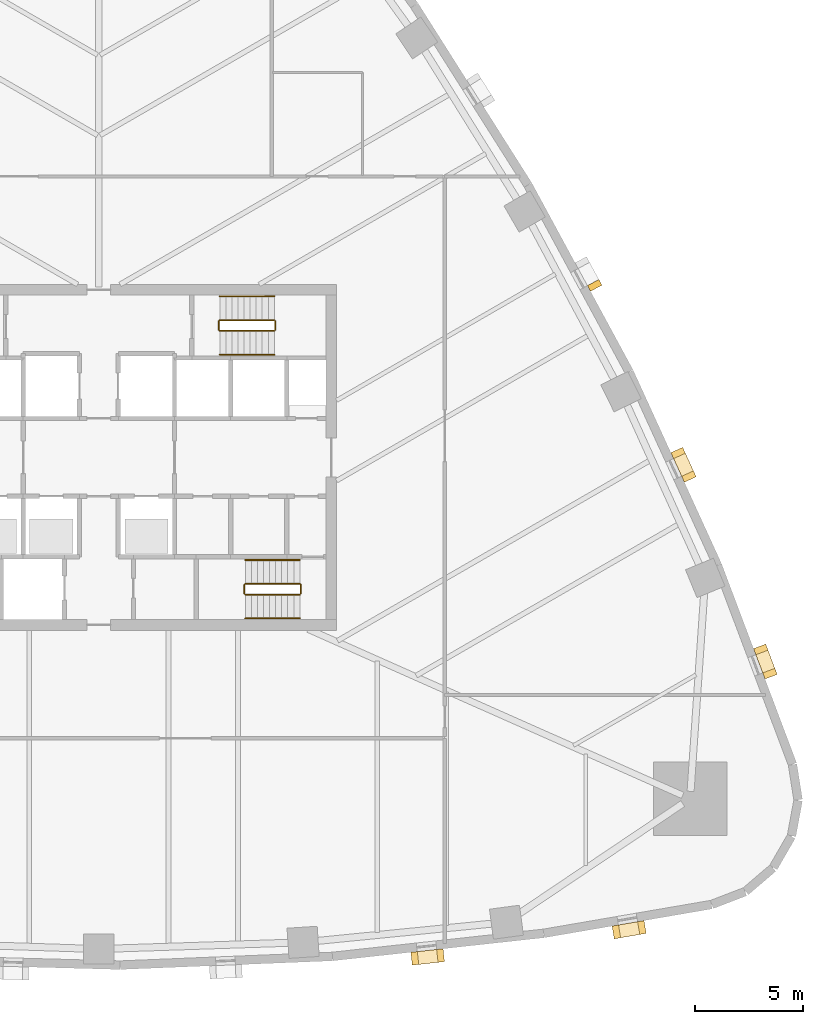
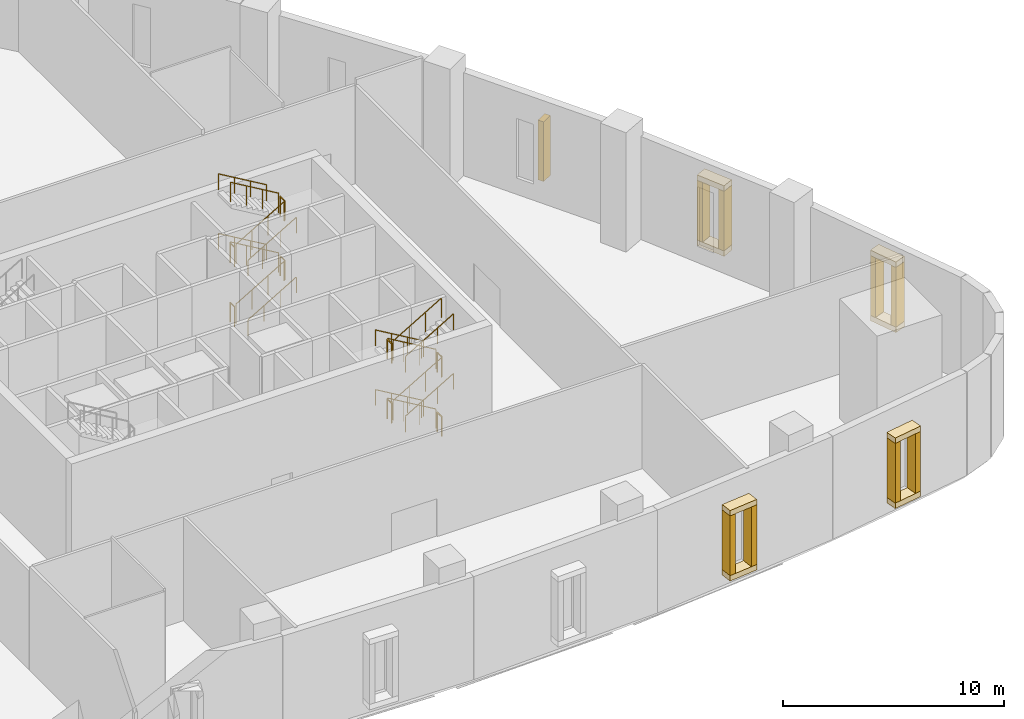
# One storey, part 9 of 11: 24 railings, 17 coverings.
"""IFC4 building model written with IfcOpenShell, lengths in metres."""

from ifc_helpers import new_model, si_unit, direction, frame, origin, origin_2d, place, context, subcontext, project, spatial, rectangle, circle, extrude, material, layer, layer_set, type_object, element, save


model = new_model("IFC4")

# Units and contexts
model_context = context("Model", 3, precision=1e-05, world=origin(), true_north=direction((0.0, 1.0)))
body_context = subcontext(model_context, "Body", "Model", "MODEL_VIEW")
ifc_project = project(units=[si_unit("LENGTHUNIT", "METRE"), si_unit("AREAUNIT", "SQUARE_METRE"), si_unit("VOLUMEUNIT", "CUBIC_METRE"), si_unit("PLANEANGLEUNIT", "RADIAN"), si_unit("MASSUNIT", "GRAM", prefix="KILO")], contexts=[model_context])

# Site, building, storey
site_placement = place(None, origin())
site = spatial("IfcSite", under=ifc_project, at=site_placement, CompositionType="ELEMENT")
building_placement = place(site_placement, origin())
building = spatial("IfcBuilding", under=site, at=building_placement, Name="Sierra Prisma Convention Tower", CompositionType="ELEMENT")
storey_placement = place(building_placement, frame((0.0, 0.0, 22.199951171875)))
storey = spatial("IfcBuildingStorey", under=building, at=storey_placement, Name="L03", CompositionType="ELEMENT", Elevation=22.199951171875)

# Railings
ifc_material_1 = material(Name="Stainless steel", Category="steel")
railing_type_1 = type_object("IfcRailingType", Name="Exit stair handrail", PredefinedType="HANDRAIL", material=ifc_material_1)
railing_1_placement = place(storey_placement, frame((9.300048828125, -4.75, 0.1650390625)))
element("IfcRailing", 1, at=railing_1_placement, inside=storey, type_object=railing_type_1, Name="L03 S2 stair handrail 1", PredefinedType="HANDRAIL", context=body_context, shape_type="SweptSolid", body=[
    extrude(circle(Radius=0.02392578125, at=origin_2d()), frame((0.0, 0.0, 0.8759765625), z_axis=(-0.86152411907, 0.0, 0.507716645641), x_axis=(0.0, -1.0, 0.0)), (0.0, 0.0, 1.0), 2.925048828125),
    extrude(circle(Radius=0.02099609375, at=origin_2d()), origin(), (0.0, 0.0, 1.0), 0.851806640625),
    extrude(circle(Radius=0.02099609375, at=origin_2d()), frame((-0.840087890625, 0.0, 0.4951171875)), (0.0, 0.0, 1.0), 0.851806640625),
    extrude(circle(Radius=0.02099609375, at=origin_2d()), frame((-1.679931640625, 0.0, 0.989990234375)), (0.0, 0.0, 1.0), 0.851806640625),
    extrude(circle(Radius=0.02099609375, at=origin_2d()), frame((-2.52001953125, 0.0, 1.485107421875)), (0.0, 0.0, 1.0), 0.851806640625),
])
railing_2_placement = place(storey_placement, frame((6.780029296875, -7.449951171875, 1.81494140625)))
element("IfcRailing", 2, at=railing_2_placement, inside=storey, type_object=railing_type_1, Name="L03 S2 stair handrail 2", PredefinedType="HANDRAIL", context=body_context, shape_type="SweptSolid", body=[
    extrude(circle(Radius=0.02392578125, at=origin_2d()), frame((0.0, 0.0, 0.8759765625), z_axis=(0.86152411907, 0.0, 0.507716645641), x_axis=(0.0, 1.0, 0.0)), (0.0, 0.0, 1.0), 2.925048828125),
    extrude(circle(Radius=0.02099609375, at=origin_2d()), origin(), (0.0, 0.0, 1.0), 0.851806640625),
    extrude(circle(Radius=0.02099609375, at=origin_2d()), frame((0.840087890625, 0.0, 0.4951171875)), (0.0, 0.0, 1.0), 0.851806640625),
    extrude(circle(Radius=0.02099609375, at=origin_2d()), frame((1.679931640625, 0.0, 0.989990234375)), (0.0, 0.0, 1.0), 0.851806640625),
    extrude(circle(Radius=0.02099609375, at=origin_2d()), frame((2.52001953125, 0.0, 1.485107421875)), (0.0, 0.0, 1.0), 0.851806640625),
])
railing_3_placement = place(storey_placement, frame((9.300048828125, -4.75, 3.465087890625)))
element("IfcRailing", 3, at=railing_3_placement, inside=storey, type_object=railing_type_1, Name="L03 S2 stair handrail 3", PredefinedType="HANDRAIL", context=body_context, shape_type="SweptSolid", body=[
    extrude(circle(Radius=0.02392578125, at=origin_2d()), frame((0.0, 0.0, 0.8759765625), z_axis=(-0.861560626758, 0.0, 0.507654692109), x_axis=(0.0, -1.0, 0.0)), (0.0, 0.0, 1.0), 2.925048828125),
    extrude(circle(Radius=0.02099609375, at=origin_2d()), origin(), (0.0, 0.0, 1.0), 0.851806640625),
    extrude(circle(Radius=0.02099609375, at=origin_2d()), frame((-0.840087890625, 0.0, 0.494873046875)), (0.0, 0.0, 1.0), 0.851806640625),
    extrude(circle(Radius=0.02099609375, at=origin_2d()), frame((-1.679931640625, 0.0, 0.989990234375)), (0.0, 0.0, 1.0), 0.851806640625),
    extrude(circle(Radius=0.02099609375, at=origin_2d()), frame((-2.52001953125, 0.0, 1.48486328125)), (0.0, 0.0, 1.0), 0.851806640625),
])
for number, where, name in (
    (4, (6.780029296875, -7.449951171875, 5.114990234375), "L03 S2 stair handrail 4"),
    (5, (5.60009765625, 4.75, 0.1650390625), "L03 S4 stair handrail 1"),
):
    element("IfcRailing", number, at=place(storey_placement, frame(where)), inside=storey, type_object=railing_type_1, Name=name, PredefinedType="HANDRAIL", context=body_context, shape_type="SweptSolid", body=[
        extrude(circle(Radius=0.02392578125, at=origin_2d()), frame((0.0, 0.0, 0.8759765625), z_axis=(0.86152411907, 0.0, 0.507716645641), x_axis=(0.0, 1.0, 0.0)), (0.0, 0.0, 1.0), 2.925048828125),
        extrude(circle(Radius=0.02099609375, at=origin_2d()), origin(), (0.0, 0.0, 1.0), 0.851806640625),
        extrude(circle(Radius=0.02099609375, at=origin_2d()), frame((0.840087890625, 0.0, 0.4951171875)), (0.0, 0.0, 1.0), 0.851806640625),
        extrude(circle(Radius=0.02099609375, at=origin_2d()), frame((1.679931640625, 0.0, 0.989990234375)), (0.0, 0.0, 1.0), 0.851806640625),
        extrude(circle(Radius=0.02099609375, at=origin_2d()), frame((2.52001953125, 0.0, 1.485107421875)), (0.0, 0.0, 1.0), 0.851806640625),
    ])
railing_4_placement = place(storey_placement, frame((8.1201171875, 7.449951171875, 1.81494140625)))
element("IfcRailing", 6, at=railing_4_placement, inside=storey, type_object=railing_type_1, Name="L03 S4 stair handrail 2", PredefinedType="HANDRAIL", context=body_context, shape_type="SweptSolid", body=[
    extrude(circle(Radius=0.02392578125, at=origin_2d()), frame((0.0, 0.0, 0.8759765625), z_axis=(-0.86152411907, 0.0, 0.507716645641), x_axis=(0.0, -1.0, 0.0)), (0.0, 0.0, 1.0), 2.925048828125),
    extrude(circle(Radius=0.02099609375, at=origin_2d()), origin(), (0.0, 0.0, 1.0), 0.851806640625),
    extrude(circle(Radius=0.02099609375, at=origin_2d()), frame((-0.840087890625, 0.0, 0.4951171875)), (0.0, 0.0, 1.0), 0.851806640625),
    extrude(circle(Radius=0.02099609375, at=origin_2d()), frame((-1.679931640625, 0.0, 0.989990234375)), (0.0, 0.0, 1.0), 0.851806640625),
    extrude(circle(Radius=0.02099609375, at=origin_2d()), frame((-2.52001953125, 0.0, 1.485107421875)), (0.0, 0.0, 1.0), 0.851806640625),
])
railing_5_placement = place(storey_placement, frame((5.60009765625, 4.75, 3.465087890625)))
element("IfcRailing", 7, at=railing_5_placement, inside=storey, type_object=railing_type_1, Name="L03 S4 stair handrail 3", PredefinedType="HANDRAIL", context=body_context, shape_type="SweptSolid", body=[
    extrude(circle(Radius=0.02392578125, at=origin_2d()), frame((0.0, 0.0, 0.8759765625), z_axis=(0.861560626758, 0.0, 0.507654692109), x_axis=(0.0, 1.0, 0.0)), (0.0, 0.0, 1.0), 2.925048828125),
    extrude(circle(Radius=0.02099609375, at=origin_2d()), origin(), (0.0, 0.0, 1.0), 0.851806640625),
    extrude(circle(Radius=0.02099609375, at=origin_2d()), frame((0.840087890625, 0.0, 0.494873046875)), (0.0, 0.0, 1.0), 0.851806640625),
    extrude(circle(Radius=0.02099609375, at=origin_2d()), frame((1.679931640625, 0.0, 0.989990234375)), (0.0, 0.0, 1.0), 0.851806640625),
    extrude(circle(Radius=0.02099609375, at=origin_2d()), frame((2.52001953125, 0.0, 1.48486328125)), (0.0, 0.0, 1.0), 0.851806640625),
])
railing_6_placement = place(storey_placement, frame((8.1201171875, 7.449951171875, 5.114990234375)))
element("IfcRailing", 8, at=railing_6_placement, inside=storey, type_object=railing_type_1, Name="L03 S4 stair handrail 4", PredefinedType="HANDRAIL", context=body_context, shape_type="SweptSolid", body=[
    extrude(circle(Radius=0.02392578125, at=origin_2d()), frame((0.0, 0.0, 0.8759765625), z_axis=(-0.86152411907, 0.0, 0.507716645641), x_axis=(0.0, -1.0, 0.0)), (0.0, 0.0, 1.0), 2.925048828125),
    extrude(circle(Radius=0.02099609375, at=origin_2d()), origin(), (0.0, 0.0, 1.0), 0.851806640625),
    extrude(circle(Radius=0.02099609375, at=origin_2d()), frame((-0.840087890625, 0.0, 0.4951171875)), (0.0, 0.0, 1.0), 0.851806640625),
    extrude(circle(Radius=0.02099609375, at=origin_2d()), frame((-1.679931640625, 0.0, 0.989990234375)), (0.0, 0.0, 1.0), 0.851806640625),
    extrude(circle(Radius=0.02099609375, at=origin_2d()), frame((-2.52001953125, 0.0, 1.485107421875)), (0.0, 0.0, 1.0), 0.851806640625),
])

# Coverings
ifc_material_2 = material(Name="Lime plaster, terracotta pigment", Category="masonry")
ifc_layer = layer(ifc_material_2, 0.300048828125)
ifc_layer_set = layer_set([ifc_layer], Name="Plaster reveal frame")
covering_type = type_object("IfcCoveringType", Name="Plaster reveal frame", PredefinedType="CLADDING", material=ifc_layer_set)
for number, where, z_axis, x_axis, name in (
    (9, (30.626953125, -8.88720703125, 0.89990234375), (0.0, 0.0, 1.0), (0.352586518729, -0.935779219053, 0.0), "Window reveal jamb"),
    (10, (31.050048828125, -10.010009765625, 0.89990234375), (0.0, 0.0, 1.0), (0.352586518729, -0.935779219053, 0.0), "Window reveal jamb"),
):
    element("IfcCovering", number, at=place(storey_placement, frame(where, z_axis=z_axis, x_axis=x_axis)), inside=storey, type_object=covering_type, Name=name, PredefinedType="CLADDING", context=body_context, shape_type="SweptSolid", body=[
        extrude(rectangle(XDim=0.300048828125, YDim=0.60009765625, at=origin_2d()), origin(), (0.0, 0.0, 1.0), 3.300048828125),
    ])
for number, where, z_axis, x_axis, name in (
    (11, (30.838623046875, -9.448486328125, 4.2001953125), (0.0, 0.0, 1.0), (0.352586518729, -0.935779219053, 0.0), "Window reveal head"),
    (12, (30.838623046875, -9.448486328125, 0.60009765625), (0.0, 0.0, 1.0), (0.352586518729, -0.935779219053, 0.0), "Window reveal sill"),
):
    element("IfcCovering", number, at=place(storey_placement, frame(where, z_axis=z_axis, x_axis=x_axis)), inside=storey, type_object=covering_type, Name=name, PredefinedType="CLADDING", context=body_context, shape_type="SweptSolid", body=[
        extrude(rectangle(XDim=1.5, YDim=0.60009765625, at=origin_2d()), origin(), (0.0, 0.0, 1.0), 0.300048828125),
    ])
for number, where, z_axis, x_axis, name in (
    (13, (26.802978515625, 0.201904296875, 0.89990234375), (0.0, 0.0, 1.0), (0.415398270891, -0.909639641034, 0.0), "Window reveal jamb"),
    (14, (27.301513671875, -0.8896484375, 0.89990234375), (0.0, 0.0, 1.0), (0.415398270891, -0.909639641034, 0.0), "Window reveal jamb"),
):
    element("IfcCovering", number, at=place(storey_placement, frame(where, z_axis=z_axis, x_axis=x_axis)), inside=storey, type_object=covering_type, Name=name, PredefinedType="CLADDING", context=body_context, shape_type="SweptSolid", body=[
        extrude(rectangle(XDim=0.300048828125, YDim=0.60009765625, at=origin_2d()), origin(), (0.0, 0.0, 1.0), 3.300048828125),
    ])
for number, where, z_axis, x_axis, name in (
    (15, (27.05224609375, -0.34375, 4.2001953125), (0.0, 0.0, 1.0), (0.415398270891, -0.909639641034, 0.0), "Window reveal head"),
    (16, (27.05224609375, -0.34375, 0.60009765625), (0.0, 0.0, 1.0), (0.415398270891, -0.909639641034, 0.0), "Window reveal sill"),
):
    element("IfcCovering", number, at=place(storey_placement, frame(where, z_axis=z_axis, x_axis=x_axis)), inside=storey, type_object=covering_type, Name=name, PredefinedType="CLADDING", context=body_context, shape_type="SweptSolid", body=[
        extrude(rectangle(XDim=1.5, YDim=0.60009765625, at=origin_2d()), origin(), (0.0, 0.0, 1.0), 0.300048828125),
    ])
for number, where, z_axis, x_axis, name in (
    (17, (22.94140625, 7.955078125, 0.89990234375), (0.0, 0.0, 1.0), (0.476256619921, -0.879306335688, 0.0), "Window reveal jamb"),
    (18, (15.8115234375, -23.052001953125, 0.89990234375), (0.0, 0.0, 1.0), (-0.994084805437, -0.108606627783, 0.0), "Window reveal jamb"),
    (19, (14.61865234375, -23.18212890625, 0.89990234375), (0.0, 0.0, 1.0), (-0.994084805437, -0.108606627783, 0.0), "Window reveal jamb"),
):
    element("IfcCovering", number, at=place(storey_placement, frame(where, z_axis=z_axis, x_axis=x_axis)), inside=storey, type_object=covering_type, Name=name, PredefinedType="CLADDING", context=body_context, shape_type="SweptSolid", body=[
        extrude(rectangle(XDim=0.300048828125, YDim=0.60009765625, at=origin_2d()), origin(), (0.0, 0.0, 1.0), 3.300048828125),
    ])
for number, where, z_axis, x_axis, name in (
    (20, (15.215087890625, -23.116943359375, 4.2001953125), (0.0, 0.0, 1.0), (-0.994084805437, -0.108606627783, 0.0), "Window reveal head"),
    (21, (15.215087890625, -23.116943359375, 0.60009765625), (0.0, 0.0, 1.0), (-0.994084805437, -0.108606627783, 0.0), "Window reveal sill"),
):
    element("IfcCovering", number, at=place(storey_placement, frame(where, z_axis=z_axis, x_axis=x_axis)), inside=storey, type_object=covering_type, Name=name, PredefinedType="CLADDING", context=body_context, shape_type="SweptSolid", body=[
        extrude(rectangle(XDim=1.5, YDim=0.60009765625, at=origin_2d()), origin(), (0.0, 0.0, 1.0), 0.300048828125),
    ])
for number, where, z_axis, x_axis, name in (
    (22, (25.127197265625, -21.75439453125, 0.89990234375), (0.0, 0.0, 1.0), (-0.985573787893, -0.169246295731, 0.0), "Window reveal jamb"),
    (23, (23.944580078125, -21.95751953125, 0.89990234375), (0.0, 0.0, 1.0), (-0.985573787893, -0.169246295731, 0.0), "Window reveal jamb"),
):
    element("IfcCovering", number, at=place(storey_placement, frame(where, z_axis=z_axis, x_axis=x_axis)), inside=storey, type_object=covering_type, Name=name, PredefinedType="CLADDING", context=body_context, shape_type="SweptSolid", body=[
        extrude(rectangle(XDim=0.300048828125, YDim=0.60009765625, at=origin_2d()), origin(), (0.0, 0.0, 1.0), 3.300048828125),
    ])
for number, where, z_axis, x_axis, name in (
    (24, (24.535888671875, -21.85595703125, 4.2001953125), (0.0, 0.0, 1.0), (-0.985573787893, -0.169246295731, 0.0), "Window reveal head"),
    (25, (24.535888671875, -21.85595703125, 0.60009765625), (0.0, 0.0, 1.0), (-0.985573787893, -0.169246295731, 0.0), "Window reveal sill"),
):
    element("IfcCovering", number, at=place(storey_placement, frame(where, z_axis=z_axis, x_axis=x_axis)), inside=storey, type_object=covering_type, Name=name, PredefinedType="CLADDING", context=body_context, shape_type="SweptSolid", body=[
        extrude(rectangle(XDim=1.5, YDim=0.60009765625, at=origin_2d()), origin(), (0.0, 0.0, 1.0), 0.300048828125),
    ])

# Railings
ifc_material_3 = material(Name="Stainless steel", Category="steel")
railing_type_2 = type_object("IfcRailingType", Name="Stair guard 1100", PredefinedType="GUARDRAIL", material=ifc_material_3)
railing_7_placement = place(storey_placement, frame((9.300048828125, -5.85009765625, 0.1650390625)))
element("IfcRailing", 26, at=railing_7_placement, inside=storey, type_object=railing_type_2, Name="L03 S2 stair guard 1", PredefinedType="GUARDRAIL", context=body_context, shape_type="SweptSolid", body=[
    extrude(circle(Radius=0.02392578125, at=origin_2d()), frame((0.0, 0.0, 1.076171875), z_axis=(-0.86152411907, 0.0, 0.507716645641), x_axis=(0.0, -1.0, 0.0)), (0.0, 0.0, 1.0), 2.925048828125),
    extrude(circle(Radius=0.02099609375, at=origin_2d()), origin(), (0.0, 0.0, 1.0), 1.052001953125),
    extrude(circle(Radius=0.02099609375, at=origin_2d()), frame((-0.840087890625, 0.0, 0.4951171875)), (0.0, 0.0, 1.0), 1.052001953125),
    extrude(circle(Radius=0.02099609375, at=origin_2d()), frame((-1.679931640625, 0.0, 0.989990234375)), (0.0, 0.0, 1.0), 1.052001953125),
    extrude(circle(Radius=0.02099609375, at=origin_2d()), frame((-2.52001953125, 0.0, 1.485107421875)), (0.0, 0.0, 1.0), 1.052001953125),
])
railing_8_placement = place(storey_placement, frame((6.72998046875, -5.89990234375, 1.650146484375)))
element("IfcRailing", 27, at=railing_8_placement, inside=storey, type_object=railing_type_2, Name="L03 S2 stair guard 2", PredefinedType="GUARDRAIL", context=body_context, shape_type="SweptSolid", body=[
    extrude(circle(Radius=0.02392578125, at=origin_2d()), frame((0.0, 0.0, 1.076171875), z_axis=(0.0, -1.0, 0.0), x_axis=(1.0, 0.0, 0.0)), (0.0, 0.0, 1.0), 0.400146484375),
    extrude(circle(Radius=0.02099609375, at=origin_2d()), origin(), (0.0, 0.0, 1.0), 1.052001953125),
    extrude(circle(Radius=0.02099609375, at=origin_2d()), frame((0.0, -0.400146484375, 0.0)), (0.0, 0.0, 1.0), 1.052001953125),
])
railing_9_placement = place(storey_placement, frame((6.780029296875, -6.35009765625, 1.81494140625)))
element("IfcRailing", 28, at=railing_9_placement, inside=storey, type_object=railing_type_2, Name="L03 S2 stair guard 3", PredefinedType="GUARDRAIL", context=body_context, shape_type="SweptSolid", body=[
    extrude(circle(Radius=0.02392578125, at=origin_2d()), frame((0.0, 0.0, 1.076171875), z_axis=(0.86152411907, 0.0, 0.507716645641), x_axis=(0.0, 1.0, 0.0)), (0.0, 0.0, 1.0), 2.925048828125),
    extrude(circle(Radius=0.02099609375, at=origin_2d()), origin(), (0.0, 0.0, 1.0), 1.052001953125),
    extrude(circle(Radius=0.02099609375, at=origin_2d()), frame((0.840087890625, 0.0, 0.4951171875)), (0.0, 0.0, 1.0), 1.052001953125),
    extrude(circle(Radius=0.02099609375, at=origin_2d()), frame((1.679931640625, 0.0, 0.989990234375)), (0.0, 0.0, 1.0), 1.052001953125),
    extrude(circle(Radius=0.02099609375, at=origin_2d()), frame((2.52001953125, 0.0, 1.485107421875)), (0.0, 0.0, 1.0), 1.052001953125),
])
railing_10_placement = place(storey_placement, frame((9.35009765625, -5.89990234375, 3.300048828125)))
element("IfcRailing", 29, at=railing_10_placement, inside=storey, type_object=railing_type_2, Name="L03 S2 stair guard 4", PredefinedType="GUARDRAIL", context=body_context, shape_type="SweptSolid", body=[
    extrude(circle(Radius=0.02392578125, at=origin_2d()), frame((0.0, 0.0, 1.076171875), z_axis=(0.0, -1.0, 0.0), x_axis=(1.0, 0.0, 0.0)), (0.0, 0.0, 1.0), 0.400146484375),
    extrude(circle(Radius=0.02099609375, at=origin_2d()), origin(), (0.0, 0.0, 1.0), 1.052001953125),
    extrude(circle(Radius=0.02099609375, at=origin_2d()), frame((0.0, -0.400146484375, 0.0)), (0.0, 0.0, 1.0), 1.052001953125),
])
railing_11_placement = place(storey_placement, frame((9.300048828125, -5.85009765625, 3.465087890625)))
element("IfcRailing", 30, at=railing_11_placement, inside=storey, type_object=railing_type_2, Name="L03 S2 stair guard 5", PredefinedType="GUARDRAIL", context=body_context, shape_type="SweptSolid", body=[
    extrude(circle(Radius=0.02392578125, at=origin_2d()), frame((0.0, 0.0, 1.076171875), z_axis=(-0.861560626758, 0.0, 0.507654692109), x_axis=(0.0, -1.0, 0.0)), (0.0, 0.0, 1.0), 2.925048828125),
    extrude(circle(Radius=0.02099609375, at=origin_2d()), origin(), (0.0, 0.0, 1.0), 1.052001953125),
    extrude(circle(Radius=0.02099609375, at=origin_2d()), frame((-0.840087890625, 0.0, 0.494873046875)), (0.0, 0.0, 1.0), 1.052001953125),
    extrude(circle(Radius=0.02099609375, at=origin_2d()), frame((-1.679931640625, 0.0, 0.989990234375)), (0.0, 0.0, 1.0), 1.052001953125),
    extrude(circle(Radius=0.02099609375, at=origin_2d()), frame((-2.52001953125, 0.0, 1.48486328125)), (0.0, 0.0, 1.0), 1.052001953125),
])
railing_12_placement = place(storey_placement, frame((6.72998046875, -5.89990234375, 4.949951171875)))
element("IfcRailing", 31, at=railing_12_placement, inside=storey, type_object=railing_type_2, Name="L03 S2 stair guard 6", PredefinedType="GUARDRAIL", context=body_context, shape_type="SweptSolid", body=[
    extrude(circle(Radius=0.02392578125, at=origin_2d()), frame((0.0, 0.0, 1.076171875), z_axis=(0.0, -1.0, 0.0), x_axis=(1.0, 0.0, 0.0)), (0.0, 0.0, 1.0), 0.400146484375),
    extrude(circle(Radius=0.02099609375, at=origin_2d()), origin(), (0.0, 0.0, 1.0), 1.052001953125),
    extrude(circle(Radius=0.02099609375, at=origin_2d()), frame((0.0, -0.400146484375, 0.0)), (0.0, 0.0, 1.0), 1.052001953125),
])
railing_13_placement = place(storey_placement, frame((6.780029296875, -6.35009765625, 5.114990234375)))
element("IfcRailing", 32, at=railing_13_placement, inside=storey, type_object=railing_type_2, Name="L03 S2 stair guard 7", PredefinedType="GUARDRAIL", context=body_context, shape_type="SweptSolid", body=[
    extrude(circle(Radius=0.02392578125, at=origin_2d()), frame((0.0, 0.0, 1.076171875), z_axis=(0.86152411907, 0.0, 0.507716645641), x_axis=(0.0, 1.0, 0.0)), (0.0, 0.0, 1.0), 2.925048828125),
    extrude(circle(Radius=0.02099609375, at=origin_2d()), origin(), (0.0, 0.0, 1.0), 1.052001953125),
    extrude(circle(Radius=0.02099609375, at=origin_2d()), frame((0.840087890625, 0.0, 0.4951171875)), (0.0, 0.0, 1.0), 1.052001953125),
    extrude(circle(Radius=0.02099609375, at=origin_2d()), frame((1.679931640625, 0.0, 0.989990234375)), (0.0, 0.0, 1.0), 1.052001953125),
    extrude(circle(Radius=0.02099609375, at=origin_2d()), frame((2.52001953125, 0.0, 1.485107421875)), (0.0, 0.0, 1.0), 1.052001953125),
])
railing_14_placement = place(storey_placement, frame((9.35009765625, -5.89990234375, 0.0)))
element("IfcRailing", 33, at=railing_14_placement, inside=storey, type_object=railing_type_2, Name="L03 S2 stair guard 8", PredefinedType="GUARDRAIL", context=body_context, shape_type="SweptSolid", body=[
    extrude(circle(Radius=0.02392578125, at=origin_2d()), frame((0.0, 0.0, 1.076171875), z_axis=(0.0, -1.0, 0.0), x_axis=(1.0, 0.0, 0.0)), (0.0, 0.0, 1.0), 0.400146484375),
    extrude(circle(Radius=0.02099609375, at=origin_2d()), origin(), (0.0, 0.0, 1.0), 1.052001953125),
    extrude(circle(Radius=0.02099609375, at=origin_2d()), frame((0.0, -0.400146484375, 0.0)), (0.0, 0.0, 1.0), 1.052001953125),
])
railing_15_placement = place(storey_placement, frame((5.60009765625, 5.85009765625, 0.1650390625)))
element("IfcRailing", 34, at=railing_15_placement, inside=storey, type_object=railing_type_2, Name="L03 S4 stair guard 1", PredefinedType="GUARDRAIL", context=body_context, shape_type="SweptSolid", body=[
    extrude(circle(Radius=0.02392578125, at=origin_2d()), frame((0.0, 0.0, 1.076171875), z_axis=(0.86152411907, 0.0, 0.507716645641), x_axis=(0.0, 1.0, 0.0)), (0.0, 0.0, 1.0), 2.925048828125),
    extrude(circle(Radius=0.02099609375, at=origin_2d()), origin(), (0.0, 0.0, 1.0), 1.052001953125),
    extrude(circle(Radius=0.02099609375, at=origin_2d()), frame((0.840087890625, 0.0, 0.4951171875)), (0.0, 0.0, 1.0), 1.052001953125),
    extrude(circle(Radius=0.02099609375, at=origin_2d()), frame((1.679931640625, 0.0, 0.989990234375)), (0.0, 0.0, 1.0), 1.052001953125),
    extrude(circle(Radius=0.02099609375, at=origin_2d()), frame((2.52001953125, 0.0, 1.485107421875)), (0.0, 0.0, 1.0), 1.052001953125),
])
railing_16_placement = place(storey_placement, frame((8.169921875, 5.89990234375, 1.650146484375)))
element("IfcRailing", 35, at=railing_16_placement, inside=storey, type_object=railing_type_2, Name="L03 S4 stair guard 2", PredefinedType="GUARDRAIL", context=body_context, shape_type="SweptSolid", body=[
    extrude(circle(Radius=0.02392578125, at=origin_2d()), frame((0.0, 0.0, 1.076171875), z_axis=(0.0, 1.0, 0.0), x_axis=(-1.0, 0.0, 0.0)), (0.0, 0.0, 1.0), 0.400146484375),
    extrude(circle(Radius=0.02099609375, at=origin_2d()), origin(), (0.0, 0.0, 1.0), 1.052001953125),
    extrude(circle(Radius=0.02099609375, at=origin_2d()), frame((0.0, 0.400146484375, 0.0)), (0.0, 0.0, 1.0), 1.052001953125),
])
railing_17_placement = place(storey_placement, frame((8.1201171875, 6.35009765625, 1.81494140625)))
element("IfcRailing", 36, at=railing_17_placement, inside=storey, type_object=railing_type_2, Name="L03 S4 stair guard 3", PredefinedType="GUARDRAIL", context=body_context, shape_type="SweptSolid", body=[
    extrude(circle(Radius=0.02392578125, at=origin_2d()), frame((0.0, 0.0, 1.076171875), z_axis=(-0.86152411907, 0.0, 0.507716645641), x_axis=(0.0, -1.0, 0.0)), (0.0, 0.0, 1.0), 2.925048828125),
    extrude(circle(Radius=0.02099609375, at=origin_2d()), origin(), (0.0, 0.0, 1.0), 1.052001953125),
    extrude(circle(Radius=0.02099609375, at=origin_2d()), frame((-0.840087890625, 0.0, 0.4951171875)), (0.0, 0.0, 1.0), 1.052001953125),
    extrude(circle(Radius=0.02099609375, at=origin_2d()), frame((-1.679931640625, 0.0, 0.989990234375)), (0.0, 0.0, 1.0), 1.052001953125),
    extrude(circle(Radius=0.02099609375, at=origin_2d()), frame((-2.52001953125, 0.0, 1.485107421875)), (0.0, 0.0, 1.0), 1.052001953125),
])
railing_18_placement = place(storey_placement, frame((5.550048828125, 5.89990234375, 3.300048828125)))
element("IfcRailing", 37, at=railing_18_placement, inside=storey, type_object=railing_type_2, Name="L03 S4 stair guard 4", PredefinedType="GUARDRAIL", context=body_context, shape_type="SweptSolid", body=[
    extrude(circle(Radius=0.02392578125, at=origin_2d()), frame((0.0, 0.0, 1.076171875), z_axis=(0.0, 1.0, 0.0), x_axis=(-1.0, 0.0, 0.0)), (0.0, 0.0, 1.0), 0.400146484375),
    extrude(circle(Radius=0.02099609375, at=origin_2d()), origin(), (0.0, 0.0, 1.0), 1.052001953125),
    extrude(circle(Radius=0.02099609375, at=origin_2d()), frame((0.0, 0.400146484375, 0.0)), (0.0, 0.0, 1.0), 1.052001953125),
])
railing_19_placement = place(storey_placement, frame((5.60009765625, 5.85009765625, 3.465087890625)))
element("IfcRailing", 38, at=railing_19_placement, inside=storey, type_object=railing_type_2, Name="L03 S4 stair guard 5", PredefinedType="GUARDRAIL", context=body_context, shape_type="SweptSolid", body=[
    extrude(circle(Radius=0.02392578125, at=origin_2d()), frame((0.0, 0.0, 1.076171875), z_axis=(0.861560626758, 0.0, 0.507654692109), x_axis=(0.0, 1.0, 0.0)), (0.0, 0.0, 1.0), 2.925048828125),
    extrude(circle(Radius=0.02099609375, at=origin_2d()), origin(), (0.0, 0.0, 1.0), 1.052001953125),
    extrude(circle(Radius=0.02099609375, at=origin_2d()), frame((0.840087890625, 0.0, 0.494873046875)), (0.0, 0.0, 1.0), 1.052001953125),
    extrude(circle(Radius=0.02099609375, at=origin_2d()), frame((1.679931640625, 0.0, 0.989990234375)), (0.0, 0.0, 1.0), 1.052001953125),
    extrude(circle(Radius=0.02099609375, at=origin_2d()), frame((2.52001953125, 0.0, 1.48486328125)), (0.0, 0.0, 1.0), 1.052001953125),
])
railing_20_placement = place(storey_placement, frame((8.169921875, 5.89990234375, 4.949951171875)))
element("IfcRailing", 39, at=railing_20_placement, inside=storey, type_object=railing_type_2, Name="L03 S4 stair guard 6", PredefinedType="GUARDRAIL", context=body_context, shape_type="SweptSolid", body=[
    extrude(circle(Radius=0.02392578125, at=origin_2d()), frame((0.0, 0.0, 1.076171875), z_axis=(0.0, 1.0, 0.0), x_axis=(-1.0, 0.0, 0.0)), (0.0, 0.0, 1.0), 0.400146484375),
    extrude(circle(Radius=0.02099609375, at=origin_2d()), origin(), (0.0, 0.0, 1.0), 1.052001953125),
    extrude(circle(Radius=0.02099609375, at=origin_2d()), frame((0.0, 0.400146484375, 0.0)), (0.0, 0.0, 1.0), 1.052001953125),
])
railing_21_placement = place(storey_placement, frame((8.1201171875, 6.35009765625, 5.114990234375)))
element("IfcRailing", 40, at=railing_21_placement, inside=storey, type_object=railing_type_2, Name="L03 S4 stair guard 7", PredefinedType="GUARDRAIL", context=body_context, shape_type="SweptSolid", body=[
    extrude(circle(Radius=0.02392578125, at=origin_2d()), frame((0.0, 0.0, 1.076171875), z_axis=(-0.86152411907, 0.0, 0.507716645641), x_axis=(0.0, -1.0, 0.0)), (0.0, 0.0, 1.0), 2.925048828125),
    extrude(circle(Radius=0.02099609375, at=origin_2d()), origin(), (0.0, 0.0, 1.0), 1.052001953125),
    extrude(circle(Radius=0.02099609375, at=origin_2d()), frame((-0.840087890625, 0.0, 0.4951171875)), (0.0, 0.0, 1.0), 1.052001953125),
    extrude(circle(Radius=0.02099609375, at=origin_2d()), frame((-1.679931640625, 0.0, 0.989990234375)), (0.0, 0.0, 1.0), 1.052001953125),
    extrude(circle(Radius=0.02099609375, at=origin_2d()), frame((-2.52001953125, 0.0, 1.485107421875)), (0.0, 0.0, 1.0), 1.052001953125),
])
railing_22_placement = place(storey_placement, frame((5.550048828125, 5.89990234375, 0.0)))
element("IfcRailing", 41, at=railing_22_placement, inside=storey, type_object=railing_type_2, Name="L03 S4 stair guard 8", PredefinedType="GUARDRAIL", context=body_context, shape_type="SweptSolid", body=[
    extrude(circle(Radius=0.02392578125, at=origin_2d()), frame((0.0, 0.0, 1.076171875), z_axis=(0.0, 1.0, 0.0), x_axis=(-1.0, 0.0, 0.0)), (0.0, 0.0, 1.0), 0.400146484375),
    extrude(circle(Radius=0.02099609375, at=origin_2d()), origin(), (0.0, 0.0, 1.0), 1.052001953125),
    extrude(circle(Radius=0.02099609375, at=origin_2d()), frame((0.0, 0.400146484375, 0.0)), (0.0, 0.0, 1.0), 1.052001953125),
])

save(model, "model.ifc")
